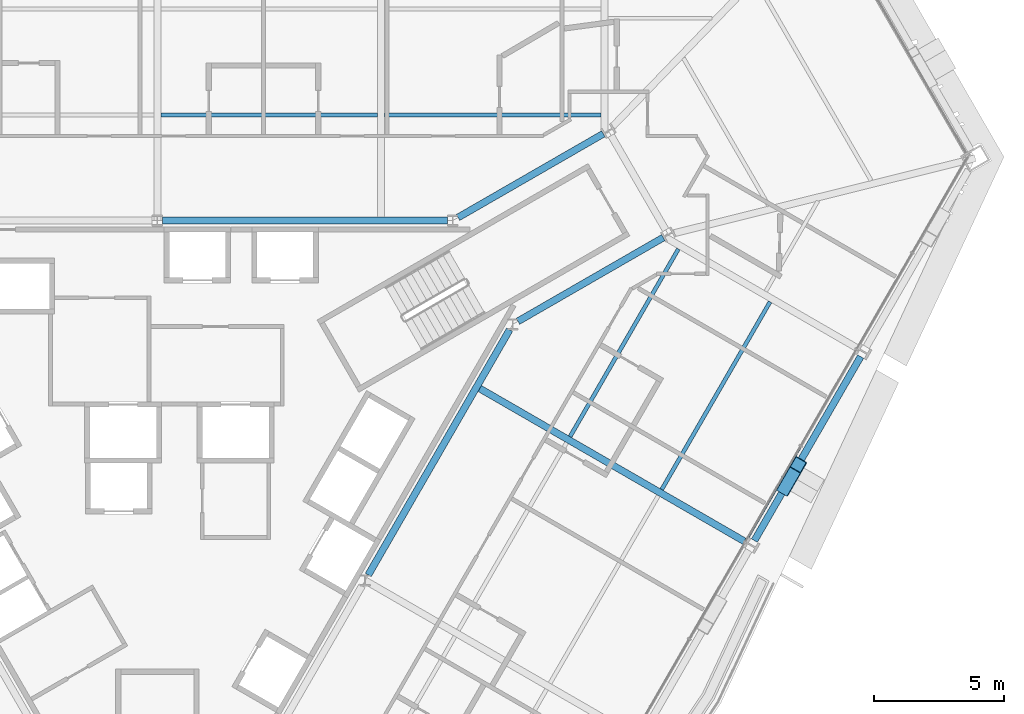
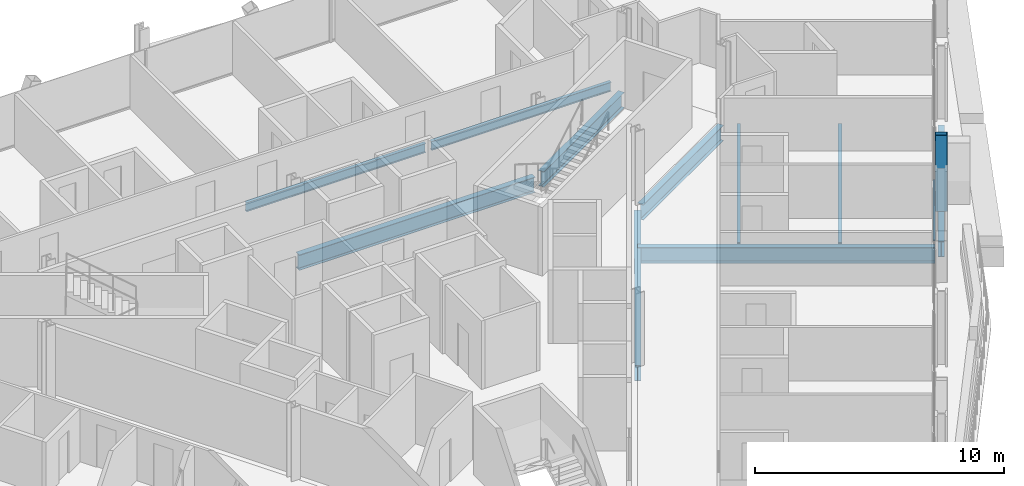
# One storey, part 9 of 20: 10 beams, 2 members, 1 element without a shape of its own.
"""IFC4 building model written with IfcOpenShell, lengths in metres."""

from ifc_helpers import new_model, si_unit, direction, frame, origin, origin_2d, place, context, subcontext, project, spatial, rectangle, hollow_rectangle, i_section, extrude, material, material_profile, profile_set, type_object, element, aggregate, save


model = new_model("IFC4")

# Units and contexts
model_context = context("Model", 3, precision=1e-05, world=origin(), true_north=direction((0.0, 1.0)))
body_context = subcontext(model_context, "Body", "Model", "MODEL_VIEW")
ifc_project = project(units=[si_unit("LENGTHUNIT", "METRE"), si_unit("AREAUNIT", "SQUARE_METRE"), si_unit("VOLUMEUNIT", "CUBIC_METRE"), si_unit("PLANEANGLEUNIT", "RADIAN"), si_unit("MASSUNIT", "GRAM", prefix="KILO")], contexts=[model_context])

# Site, building, storey
site_placement = place(None, origin())
site = spatial("IfcSite", under=ifc_project, at=site_placement, CompositionType="ELEMENT")
building_placement = place(site_placement, origin())
building = spatial("IfcBuilding", under=site, at=building_placement, Name="Verrane Prism Tower", CompositionType="ELEMENT")
storey_placement = place(building_placement, frame((0.0, 0.0, 69.199951171875)))
storey = spatial("IfcBuildingStorey", under=building, at=storey_placement, Name="L15", CompositionType="ELEMENT", Elevation=69.199951171875)

# Beams
ifc_material_1 = material(Name="Steel A992", Category="steel")
ifc_material_profile_1 = material_profile(ifc_material_1, i_section(OverallWidth=0.2666015625, OverallDepth=0.7568359375, WebThickness=0.013916015625, FlangeThickness=0.019287109375, FilletRadius=0.0166015625, at=origin_2d()), Name="W30x108")
ifc_profile_set_1 = profile_set([ifc_material_profile_1], Name="Steel A992")
beam_type_1 = type_object("IfcBeamType", Name="Core ring girder W30x108", PredefinedType="BEAM", material=ifc_profile_set_1)
beam_1_placement = place(storey_placement, frame((13.833251953125, 5.337158203125, -0.62841796875), z_axis=(0.86646365882, 0.499240150574, 0.0), x_axis=(-0.499240150574, 0.86646365882, 0.0)))
element("IfcBeam", 1, at=beam_1_placement, inside=storey, type_object=beam_type_1, Name="Core ring girder L15", PredefinedType="BEAM", context=body_context, shape_type="SweptSolid", body=[
    extrude(i_section(OverallWidth=0.2666015625, OverallDepth=0.7568359375, WebThickness=0.013916015625, FlangeThickness=0.019287109375, FilletRadius=0.0166015625, at=origin_2d()), origin(), (0.0, 0.0, 1.0), 6.42822265625),
])
beam_2_placement = place(storey_placement, frame((17.10302734375, 12.526611328125, -0.62841796875), z_axis=(-0.866447229751, -0.499268663203, 0.0), x_axis=(0.499268663203, -0.866447229751, 0.0)))
element("IfcBeam", 2, at=beam_2_placement, inside=storey, type_object=beam_type_1, Name="Core ring girder L15", PredefinedType="BEAM", context=body_context, shape_type="SweptSolid", body=[
    extrude(i_section(OverallWidth=0.2666015625, OverallDepth=0.7568359375, WebThickness=0.013916015625, FlangeThickness=0.019287109375, FilletRadius=0.0166015625, at=origin_2d()), origin(), (0.0, 0.0, 1.0), 6.428466796875),
])
beam_3_placement = place(storey_placement, frame((11.126708984375, 9.199951171875, -0.62841796875), z_axis=(-1.0, 0.0, 0.0), x_axis=(0.0, -1.0, 0.0)))
element("IfcBeam", 3, at=beam_3_placement, inside=storey, type_object=beam_type_1, Name="Core ring girder L15", PredefinedType="BEAM", context=body_context, shape_type="SweptSolid", body=[
    extrude(i_section(OverallWidth=0.2666015625, OverallDepth=0.7568359375, WebThickness=0.013916015625, FlangeThickness=0.019287109375, FilletRadius=0.0166015625, at=origin_2d()), origin(), (0.0, 0.0, 1.0), 10.923583984375),
])
beam_4_placement = place(storey_placement, frame((8.090087890625, -4.3916015625, -0.62841796875), z_axis=(0.499371892062, 0.866387738498, 0.0), x_axis=(-0.866387738498, 0.499371892062, 0.0)))
element("IfcBeam", 4, at=beam_4_placement, inside=storey, type_object=beam_type_1, Name="Core ring girder L15", PredefinedType="BEAM", context=body_context, shape_type="SweptSolid", body=[
    extrude(i_section(OverallWidth=0.2666015625, OverallDepth=0.7568359375, WebThickness=0.013916015625, FlangeThickness=0.019287109375, FilletRadius=0.0166015625, at=origin_2d()), origin(), (0.0, 0.0, 1.0), 10.853515625),
])

# Member
ifc_material_2 = material(Name="Steel A1085 Grade A", Category="steel")
ifc_material_profile_2 = material_profile(ifc_material_2, hollow_rectangle(XDim=0.508056640625, YDim=0.508056640625, WallThickness=0.025390625, InnerFilletRadius=0.0126953125, OuterFilletRadius=0.0380859375, at=origin_2d()), Name="HSS20x20x1")
ifc_profile_set_2 = profile_set([ifc_material_profile_2], Name="Steel A1085 Grade A")
member_type_1 = type_object("IfcMemberType", Name="Facade brace HSS20x20x1", PredefinedType="BRACE", material=ifc_profile_set_2)
member_1_placement = place(storey_placement, frame((24.066162109375, -1.0498046875, -0.242431640625), z_axis=(0.161119095998, 0.279057966936, 0.946661126272), x_axis=(-0.866018814177, 0.500011413361, 0.0)))
element("IfcMember", 5, at=member_1_placement, inside=storey, type_object=member_type_1, Name="Facade brace SE4 L15", PredefinedType="BRACE", context=body_context, shape_type="SweptSolid", body=[
    extrude(hollow_rectangle(XDim=0.508056640625, YDim=0.508056640625, WallThickness=0.025390625, InnerFilletRadius=0.0126953125, OuterFilletRadius=0.0380859375, at=origin_2d()), origin(), (0.0, 0.0, 1.0), 3.177490234375),
])

# Beams
ifc_material_3 = material(Name="Steel A992", Category="steel")
ifc_material_profile_3 = material_profile(ifc_material_3, i_section(OverallWidth=0.15234375, OverallDepth=0.449462890625, WebThickness=0.007568359375, FlangeThickness=0.0107421875, FilletRadius=0.01025390625, at=origin_2d()), Name="W18x35")
ifc_profile_set_3 = profile_set([ifc_material_profile_3], Name="Steel A992")
beam_type_2 = type_object("IfcBeamType", Name="Floor beam W18x35", PredefinedType="BEAM", material=ifc_profile_set_3)
beam_5_placement = place(storey_placement, frame((8.70361328125, 13.256591796875, -0.384765625), z_axis=(1.0, 0.0, 0.0), x_axis=(0.0, 1.0, 0.0)))
element("IfcBeam", 6, at=beam_5_placement, inside=storey, type_object=beam_type_2, Name="Floor beam L15", PredefinedType="BEAM", context=body_context, shape_type="SweptSolid", body=[
    extrude(i_section(OverallWidth=0.15234375, OverallDepth=0.449462890625, WebThickness=0.007568359375, FlangeThickness=0.0107421875, FilletRadius=0.01025390625, at=origin_2d()), origin(), (0.0, 0.0, 1.0), 8.31298828125),
])
beam_6_placement = place(storey_placement, frame((0.133544921875, 13.256591796875, -0.384765625), z_axis=(1.0, 0.0, 0.0), x_axis=(0.0, 1.0, 0.0)))
element("IfcBeam", 7, at=beam_6_placement, inside=storey, type_object=beam_type_2, Name="Floor beam L15", PredefinedType="BEAM", context=body_context, shape_type="SweptSolid", body=[
    extrude(i_section(OverallWidth=0.15234375, OverallDepth=0.449462890625, WebThickness=0.007568359375, FlangeThickness=0.0107421875, FilletRadius=0.01025390625, at=origin_2d()), origin(), (0.0, 0.0, 1.0), 8.302978515625),
])
beam_7_placement = place(storey_placement, frame((19.343505859375, -1.114501953125, -0.384765625), z_axis=(0.499991203388, 0.866030482451, 0.0), x_axis=(-0.866030482451, 0.499991203388, 0.0)))
element("IfcBeam", 8, at=beam_7_placement, inside=storey, type_object=beam_type_2, Name="Floor beam L15", PredefinedType="BEAM", context=body_context, shape_type="SweptSolid", body=[
    extrude(i_section(OverallWidth=0.15234375, OverallDepth=0.449462890625, WebThickness=0.007568359375, FlangeThickness=0.0107421875, FilletRadius=0.01025390625, at=origin_2d()), origin(), (0.0, 0.0, 1.0), 8.309326171875),
])
beam_8_placement = place(storey_placement, frame((15.830078125, 0.91552734375, -0.384765625), z_axis=(0.500002345008, 0.866024049889, 0.0), x_axis=(-0.866024049889, 0.500002345008, 0.0)))
element("IfcBeam", 9, at=beam_8_placement, inside=storey, type_object=beam_type_2, Name="Floor beam L15", PredefinedType="BEAM", context=body_context, shape_type="SweptSolid", body=[
    extrude(i_section(OverallWidth=0.15234375, OverallDepth=0.449462890625, WebThickness=0.007568359375, FlangeThickness=0.0107421875, FilletRadius=0.01025390625, at=origin_2d()), origin(), (0.0, 0.0, 1.0), 8.3056640625),
])
ifc_material_4 = material(Name="Steel A992", Category="steel")
ifc_material_profile_4 = material_profile(ifc_material_4, i_section(OverallWidth=0.2666015625, OverallDepth=0.76708984375, WebThickness=0.014892578125, FlangeThickness=0.023681640625, FilletRadius=0.0166015625, at=origin_2d()), Name="W30x124")
ifc_profile_set_4 = profile_set([ifc_material_profile_4], Name="Steel A992")
beam_type_3 = type_object("IfcBeamType", Name="Radial girder W30x124", PredefinedType="BEAM", material=ifc_profile_set_4)
beam_9_placement = place(storey_placement, frame((22.574462890625, -3.135498046875, -0.603515625), z_axis=(-0.866026670785, 0.499997805483, 0.0), x_axis=(-0.499997805483, -0.866026670785, 0.0)))
element("IfcBeam", 10, at=beam_9_placement, inside=storey, type_object=beam_type_3, Name="Radial girder L15", PredefinedType="BEAM", context=body_context, shape_type="SweptSolid", body=[
    extrude(i_section(OverallWidth=0.2666015625, OverallDepth=0.76708984375, WebThickness=0.014892578125, FlangeThickness=0.023681640625, FilletRadius=0.0166015625, at=origin_2d()), origin(), (0.0, 0.0, 1.0), 11.921875),
])
ifc_material_5 = material(Name="Steel A992", Category="steel")
ifc_material_profile_5 = material_profile(ifc_material_5, i_section(OverallWidth=0.2666015625, OverallDepth=0.7568359375, WebThickness=0.013916015625, FlangeThickness=0.019287109375, FilletRadius=0.0166015625, at=origin_2d()), Name="W30x108")
ifc_profile_set_5 = profile_set([ifc_material_profile_5], Name="Steel A992")
beam_type_4 = type_object("IfcBeamType", Name="Spandrel beam W30x108", PredefinedType="SPANDREL", material=ifc_profile_set_5)
beam_10_placement = place(storey_placement, frame((22.89794921875, -3.072998046875, -0.538330078125), z_axis=(0.500022470507, 0.866012430043, 0.0), x_axis=(-0.866012430043, 0.500022470507, 0.0)))
element("IfcBeam", 11, at=beam_10_placement, inside=storey, type_object=beam_type_4, Name="Spandrel beam L15", PredefinedType="SPANDREL", context=body_context, shape_type="SweptSolid", body=[
    extrude(i_section(OverallWidth=0.2666015625, OverallDepth=0.7568359375, WebThickness=0.013916015625, FlangeThickness=0.019287109375, FilletRadius=0.0166015625, at=origin_2d()), origin(), (0.0, 0.0, 1.0), 8.147705078125),
])

# Curtain wall, member
ifc_material_6 = material(Name="Aluminium framed insulated glazing", Category="aluminium")
curtain_wall_type = type_object("IfcCurtainWallType", Name="Curtain wall CW-C 4200 module", PredefinedType="NOTDEFINED", material=ifc_material_6)
curtain_wall_placement = place(storey_placement, origin())
curtain_wall = element("IfcCurtainWall", 12, at=curtain_wall_placement, inside=storey, type_object=curtain_wall_type, Name="Glazed curtain wall south-east face L15", PredefinedType="NOTDEFINED")
ifc_material_7 = material(Name="Aluminium alloy 6063-T6", Category="aluminium")
ifc_material_profile_6 = material_profile(ifc_material_7, rectangle(XDim=0.10009765625, YDim=0.050048828125, at=origin_2d()), Name="Transom 50x100 aluminium")
ifc_profile_set_6 = profile_set([ifc_material_profile_6], Name="Aluminium alloy 6063-T6")
member_type_2 = type_object("IfcMemberType", Name="Transom 50x100 aluminium", PredefinedType="USERDEFINED", material=ifc_profile_set_6)
member_2_placement = place(storey_placement, frame((22.552490234375, -3.11962890625, 0.025146484375), z_axis=(0.500035923186, 0.86600466253, 0.0), x_axis=(-0.86600466253, 0.500035923186, 0.0)))
member_2 = element("IfcMember", 13, at=member_2_placement, type_object=member_type_2, Name="CW14.6 transom 9", ObjectType="TRANSOM", PredefinedType="USERDEFINED", context=body_context, shape_type="SweptSolid", body=[
    extrude(rectangle(XDim=0.10009765625, YDim=0.050048828125, at=origin_2d()), origin(), (0.0, 0.0, 1.0), 4.224853515625),
])
aggregate(curtain_wall, [member_2])

save(model, "model.ifc")
